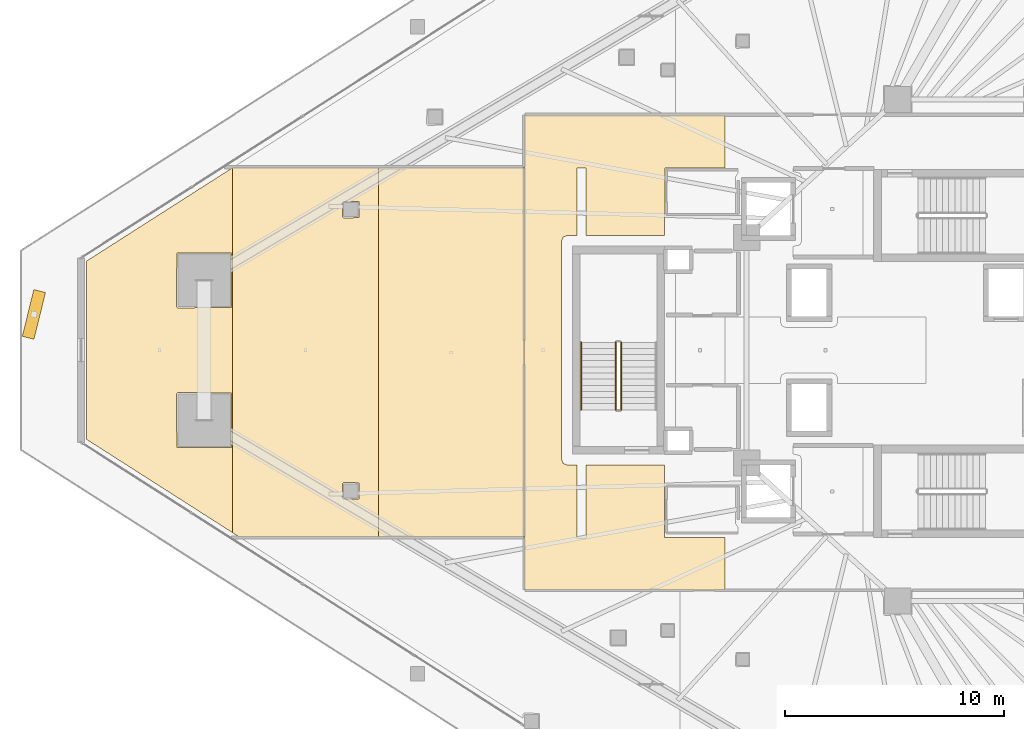
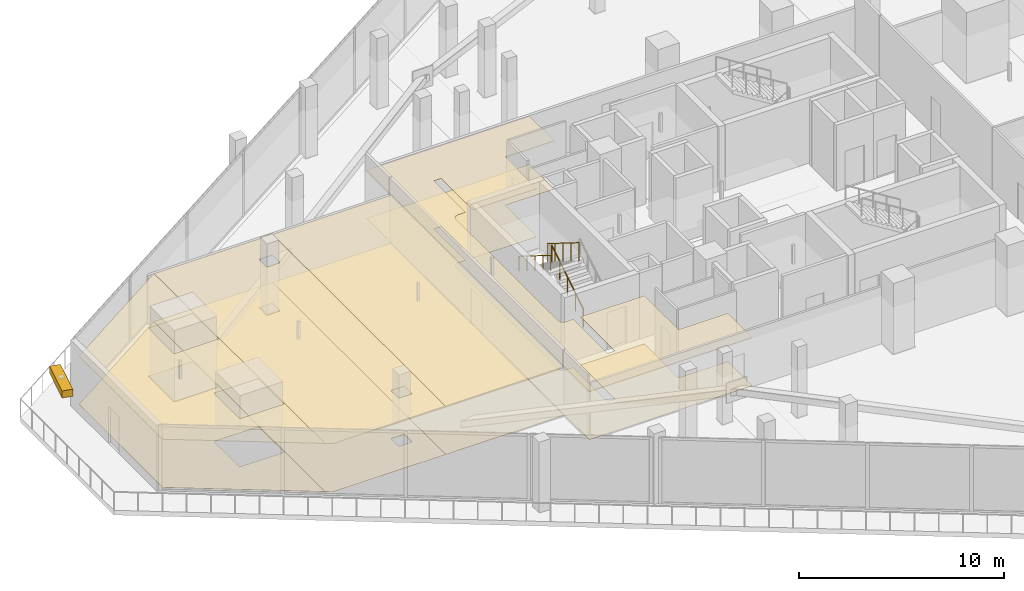
# One storey, part 39 of 43: 8 coverings, 3 railings, 1 shading device.
"""IFC4 building model written with IfcOpenShell, lengths in metres."""

from ifc_helpers import new_model, si_unit, direction, frame, origin, origin_2d, place, context, subcontext, project, spatial, polyline, rectangle, circle, outline, extrude, material, layer, layer_set, type_object, element, save


model = new_model("IFC4")

# Units and contexts
model_context = context("Model", 3, precision=1e-05, world=origin(), true_north=direction((0.0, 1.0)))
body_context = subcontext(model_context, "Body", "Model", "MODEL_VIEW")
ifc_project = project(units=[si_unit("LENGTHUNIT", "METRE"), si_unit("AREAUNIT", "SQUARE_METRE"), si_unit("VOLUMEUNIT", "CUBIC_METRE"), si_unit("PLANEANGLEUNIT", "RADIAN"), si_unit("MASSUNIT", "GRAM", prefix="KILO")], contexts=[model_context])

# Site, building, storey
site_placement = place(None, origin())
site = spatial("IfcSite", under=ifc_project, at=site_placement, CompositionType="ELEMENT")
building_placement = place(site_placement, origin())
building = spatial("IfcBuilding", under=site, at=building_placement, Name="Qorvath Tower", CompositionType="ELEMENT")
storey_placement = place(building_placement, frame((0.0, 0.0, 36.60009765625)))
storey = spatial("IfcBuildingStorey", under=building, at=storey_placement, Name="L07", CompositionType="ELEMENT", Elevation=36.60009765625)

# Coverings
ifc_material_1 = material(Name="Acoustic mineral fibre ceiling tile", Category="gypsum")
ifc_layer_1 = layer(ifc_material_1, 0.030029296875)
ifc_layer_set_1 = layer_set([ifc_layer_1], Name="COV-CEIL")
covering_type_1 = type_object("IfcCoveringType", Name="COV-CEIL", PredefinedType="CEILING", material=ifc_layer_set_1)
covering_1_placement = place(storey_placement, frame((0.0, 0.0, 2.849853515625)))
element("IfcCovering", 1, at=covering_1_placement, inside=storey, type_object=covering_type_1, Name="L07 Suspended Acoustic Ceiling 007", PredefinedType="CEILING", context=body_context, shape_type="SweptSolid", body=[
    extrude(outline(polyline([(-31.481689453125, -10.945068359375), (-31.481689453125, -8.564697265625), (-34.25, -8.56494140625), (-34.2548828125, -5.239990234375), (-37.844970703125, -5.239990234375), (-37.844970703125, -8.580078125), (-38.2548828125, -8.580078125), (-38.2548828125, -5.239990234375), (-38.699951171875, -5.239990234375), (-38.876708984375, -5.166748046875), (-38.949951171875, -4.989990234375), (-38.949951171875, 4.989990234375), (-38.876708984375, 5.166748046875), (-38.699951171875, 5.239990234375), (-38.2548828125, 5.239990234375), (-38.25341796875, 8.323486328125), (-37.844970703125, 8.320068359375), (-37.844970703125, 5.239990234375), (-34.2509765625, 5.239990234375), (-34.219970703125, 8.324951171875), (-31.481689453125, 8.324951171875), (-31.481689453125, 10.7451171875), (-40.64501953125, 10.7451171875), (-40.64501953125, -10.945068359375), (-31.481689453125, -10.945068359375)])), origin(), (0.0, 0.0, 1.0), 0.030029296875),
])
covering_2_placement = place(storey_placement, frame((0.0, 0.0, 2.849853515625)))
element("IfcCovering", 2, at=covering_2_placement, inside=storey, type_object=covering_type_1, Name="L07 Suspended Acoustic Ceiling 022", PredefinedType="CEILING", context=body_context, shape_type="SweptSolid", body=[
    extrude(outline(polyline([(-53.98583984375, -8.330322265625), (-53.98583984375, 8.330322265625), (-60.6474609375, 4.07275390625), (-60.6474609375, -4.07275390625), (-53.98583984375, -8.330322265625)]), holes=[polyline([(-56.54296875, -1.994384765625), (-56.48291015625, -1.9345703125), (-54.04052734375, -1.9521484375), (-54.04052734375, -4.43701171875), (-56.525390625, -4.43701171875), (-56.54296875, -1.994384765625)]), polyline([(-56.54296875, 1.994384765625), (-56.525390625, 4.43701171875), (-54.04052734375, 4.43701171875), (-54.04052734375, 1.9521484375), (-56.48291015625, 1.9345703125), (-56.54296875, 1.994384765625)])]), origin(), (0.0, 0.0, 1.0), 0.030029296875),
])
covering_3_placement = place(storey_placement, frame((0.0, 0.0, 2.849853515625)))
element("IfcCovering", 3, at=covering_3_placement, inside=storey, type_object=covering_type_1, Name="L07 Suspended Acoustic Ceiling 023", PredefinedType="CEILING", context=body_context, shape_type="SweptSolid", body=[
    extrude(outline(polyline([(-47.324462890625, -8.537109375), (-47.324462890625, 8.3369140625), (-53.975341796875, 8.3369140625), (-53.98583984375, 8.330322265625), (-53.98583984375, -8.330322265625), (-53.66259765625, -8.537109375), (-47.324462890625, -8.537109375)]), holes=[polyline([(-48.96337890625, -6.099609375), (-48.9033203125, -6.03955078125), (-48.2109375, -6.05712890625), (-48.2109375, -6.7919921875), (-48.94580078125, -6.7919921875), (-48.96337890625, -6.099609375)]), polyline([(-48.96337890625, 6.099609375), (-48.94580078125, 6.7919921875), (-48.2109375, 6.7919921875), (-48.2109375, 6.05712890625), (-48.9033203125, 6.03955078125), (-48.96337890625, 6.099609375)])]), origin(), (0.0, 0.0, 1.0), 0.030029296875),
])
covering_4_placement = place(storey_placement, frame((0.0, 0.0, 2.849853515625)))
element("IfcCovering", 4, at=covering_4_placement, inside=storey, type_object=covering_type_1, Name="L07 Suspended Acoustic Ceiling 024", PredefinedType="CEILING", context=body_context, shape_type="SweptSolid", body=[
    extrude(outline(polyline([(-40.6630859375, 8.3369140625), (-47.324462890625, 8.3369140625), (-47.324462890625, -8.537109375), (-40.6630859375, -8.537109375), (-40.6630859375, 8.3369140625)])), origin(), (0.0, 0.0, 1.0), 0.030029296875),
])
ifc_material_2 = material(Name="Low-VOC modular carpet tile", Category="textile")
ifc_layer_2 = layer(ifc_material_2, 0.014892578125)
ifc_layer_set_2 = layer_set([ifc_layer_2], Name="COV-FLOOR-CPT")
covering_type_2 = type_object("IfcCoveringType", Name="COV-FLOOR-CPT", PredefinedType="FLOORING", material=ifc_layer_set_2)
covering_5_placement = place(storey_placement, origin())
element("IfcCovering", 5, at=covering_5_placement, inside=storey, type_object=covering_type_2, Name="L07 Floor Finish 022", PredefinedType="FLOORING", context=body_context, shape_type="SweptSolid", body=[
    extrude(outline(polyline([(-53.98583984375, -8.330322265625), (-53.98583984375, 8.330322265625), (-60.6474609375, 4.07275390625), (-60.6474609375, -4.07275390625), (-53.98583984375, -8.330322265625)]), holes=[polyline([(-56.54296875, -1.994384765625), (-56.48291015625, -1.9345703125), (-54.04052734375, -1.9521484375), (-54.04052734375, -4.43701171875), (-56.525390625, -4.43701171875), (-56.54296875, -1.994384765625)]), polyline([(-56.54296875, 1.994384765625), (-56.525390625, 4.43701171875), (-54.04052734375, 4.43701171875), (-54.04052734375, 1.9521484375), (-56.48291015625, 1.9345703125), (-56.54296875, 1.994384765625)])]), origin(), (0.0, 0.0, 1.0), 0.014892578125),
])
covering_6_placement = place(storey_placement, origin())
element("IfcCovering", 6, at=covering_6_placement, inside=storey, type_object=covering_type_2, Name="L07 Floor Finish 023", PredefinedType="FLOORING", context=body_context, shape_type="SweptSolid", body=[
    extrude(outline(polyline([(-47.324462890625, -8.537109375), (-47.324462890625, 8.3369140625), (-53.975341796875, 8.3369140625), (-53.98583984375, 8.330322265625), (-53.98583984375, -8.330322265625), (-53.66259765625, -8.537109375), (-47.324462890625, -8.537109375)]), holes=[polyline([(-48.96337890625, -6.099609375), (-48.9033203125, -6.03955078125), (-48.2109375, -6.05712890625), (-48.2109375, -6.7919921875), (-48.94580078125, -6.7919921875), (-48.96337890625, -6.099609375)]), polyline([(-48.96337890625, 6.099609375), (-48.94580078125, 6.7919921875), (-48.2109375, 6.7919921875), (-48.2109375, 6.05712890625), (-48.9033203125, 6.03955078125), (-48.96337890625, 6.099609375)])]), origin(), (0.0, 0.0, 1.0), 0.014892578125),
])
covering_7_placement = place(storey_placement, origin())
element("IfcCovering", 7, at=covering_7_placement, inside=storey, type_object=covering_type_2, Name="L07 Floor Finish 024", PredefinedType="FLOORING", context=body_context, shape_type="SweptSolid", body=[
    extrude(outline(polyline([(-40.6630859375, 8.3369140625), (-47.324462890625, 8.3369140625), (-47.324462890625, -8.537109375), (-40.6630859375, -8.537109375), (-40.6630859375, 8.3369140625)])), origin(), (0.0, 0.0, 1.0), 0.014892578125),
])
ifc_material_3 = material(Name="Polished epoxy terrazzo flooring", Category="concrete")
ifc_layer_3 = layer(ifc_material_3, 0.02001953125)
ifc_layer_set_3 = layer_set([ifc_layer_3], Name="COV-FLOOR-TRZ")
covering_type_3 = type_object("IfcCoveringType", Name="COV-FLOOR-TRZ", PredefinedType="FLOORING", material=ifc_layer_set_3)
covering_8_placement = place(storey_placement, origin())
element("IfcCovering", 8, at=covering_8_placement, inside=storey, type_object=covering_type_3, Name="L07 Floor Finish 007", PredefinedType="FLOORING", context=body_context, shape_type="SweptSolid", body=[
    extrude(outline(polyline([(-31.481689453125, -10.945068359375), (-31.481689453125, -8.564697265625), (-34.25, -8.56494140625), (-34.2548828125, -5.239990234375), (-37.844970703125, -5.239990234375), (-37.844970703125, -8.580078125), (-38.2548828125, -8.580078125), (-38.2548828125, -5.239990234375), (-38.699951171875, -5.239990234375), (-38.876708984375, -5.166748046875), (-38.949951171875, -4.989990234375), (-38.949951171875, 4.989990234375), (-38.876708984375, 5.166748046875), (-38.699951171875, 5.239990234375), (-38.2548828125, 5.239990234375), (-38.25341796875, 8.323486328125), (-37.844970703125, 8.320068359375), (-37.844970703125, 5.239990234375), (-34.2509765625, 5.239990234375), (-34.219970703125, 8.324951171875), (-31.481689453125, 8.324951171875), (-31.481689453125, 10.7451171875), (-40.64501953125, 10.7451171875), (-40.64501953125, -10.945068359375), (-31.481689453125, -10.945068359375)])), origin(), (0.0, 0.0, 1.0), 0.014892578125),
])

# Railings
ifc_material_4 = material(Name="Painted galvanised steel", Category="steel")
railing_type_1 = type_object("IfcRailingType", Name="RL-STR-GRD", PredefinedType="GUARDRAIL", material=ifc_material_4)
railing_1_placement = place(storey_placement, frame((-36.22998046875, -2.719970703125, 0.1748046875)))
element("IfcRailing", 9, at=railing_1_placement, inside=storey, type_object=railing_type_1, Name="L07 TS3 stair guard 1", PredefinedType="GUARDRAIL", context=body_context, shape_type="SweptSolid", body=[
    extrude(circle(Radius=0.02392578125, at=origin_2d()), frame((0.0, 0.0, 1.076171875), z_axis=(0.0, 0.847998304005, 0.529998940003), x_axis=(-1.0, 0.0, 0.0)), (0.0, 0.0, 1.0), 3.632080078125),
    extrude(circle(Radius=0.02099609375, at=origin_2d()), origin(), (0.0, 0.0, 1.0), 1.052001953125),
    extrude(circle(Radius=0.02099609375, at=origin_2d()), frame((0.0, 0.77001953125, 0.481201171875)), (0.0, 0.0, 1.0), 1.052001953125),
    extrude(circle(Radius=0.02099609375, at=origin_2d()), frame((0.0, 1.5400390625, 0.96240234375)), (0.0, 0.0, 1.0), 1.052001953125),
    extrude(circle(Radius=0.02099609375, at=origin_2d()), frame((0.0, 2.31005859375, 1.44384765625)), (0.0, 0.0, 1.0), 1.052001953125),
    extrude(circle(Radius=0.02099609375, at=origin_2d()), frame((0.0, 3.080078125, 1.925048828125)), (0.0, 0.0, 1.0), 1.052001953125),
])
railing_2_placement = place(storey_placement, frame((-36.47998046875, 0.360107421875, 2.27490234375)))
element("IfcRailing", 10, at=railing_2_placement, inside=storey, type_object=railing_type_1, Name="L07 TS3 stair guard 3", PredefinedType="GUARDRAIL", context=body_context, shape_type="SweptSolid", body=[
    extrude(circle(Radius=0.02392578125, at=origin_2d()), frame((0.0, 0.0, 1.076171875), z_axis=(0.0, -0.847998304005, 0.529998940003), x_axis=(1.0, 0.0, 0.0)), (0.0, 0.0, 1.0), 3.632080078125),
    extrude(circle(Radius=0.02099609375, at=origin_2d()), origin(), (0.0, 0.0, 1.0), 1.052001953125),
    extrude(circle(Radius=0.02099609375, at=origin_2d()), frame((0.0, -0.77001953125, 0.481201171875)), (0.0, 0.0, 1.0), 1.052001953125),
    extrude(circle(Radius=0.02099609375, at=origin_2d()), frame((0.0, -1.5400390625, 0.96240234375)), (0.0, 0.0, 1.0), 1.052001953125),
    extrude(circle(Radius=0.02099609375, at=origin_2d()), frame((0.0, -2.31005859375, 1.44384765625)), (0.0, 0.0, 1.0), 1.052001953125),
    extrude(circle(Radius=0.02099609375, at=origin_2d()), frame((0.0, -3.080078125, 1.925048828125)), (0.0, 0.0, 1.0), 1.052001953125),
])
ifc_material_5 = material(Name="Brushed stainless steel AISI 304", Category="steel")
railing_type_2 = type_object("IfcRailingType", Name="RL-STR-HND", PredefinedType="HANDRAIL", material=ifc_material_5)
railing_3_placement = place(storey_placement, frame((-38.06005859375, 0.360107421875, 2.27490234375)))
element("IfcRailing", 11, at=railing_3_placement, inside=storey, type_object=railing_type_2, Name="L07 TS3 stair handrail 2", PredefinedType="HANDRAIL", context=body_context, shape_type="SweptSolid", body=[
    extrude(circle(Radius=0.02392578125, at=origin_2d()), frame((0.0, 0.0, 0.8759765625), z_axis=(0.0, -0.847998304005, 0.529998940003), x_axis=(1.0, 0.0, 0.0)), (0.0, 0.0, 1.0), 3.632080078125),
    extrude(circle(Radius=0.02099609375, at=origin_2d()), origin(), (0.0, 0.0, 1.0), 0.851806640625),
    extrude(circle(Radius=0.02099609375, at=origin_2d()), frame((0.0, -0.77001953125, 0.481201171875)), (0.0, 0.0, 1.0), 0.851806640625),
    extrude(circle(Radius=0.02099609375, at=origin_2d()), frame((0.0, -1.5400390625, 0.96240234375)), (0.0, 0.0, 1.0), 0.851806640625),
    extrude(circle(Radius=0.02099609375, at=origin_2d()), frame((0.0, -2.31005859375, 1.44384765625)), (0.0, 0.0, 1.0), 0.851806640625),
    extrude(circle(Radius=0.02099609375, at=origin_2d()), frame((0.0, -3.080078125, 1.925048828125)), (0.0, 0.0, 1.0), 0.851806640625),
])

# Shading device
ifc_material_6 = material(Name="Anodised bronze-champagne aluminium", Category="aluminium")
shading_device_type = type_object("IfcShadingDeviceType", Name="SD-LOUVRE", PredefinedType="JALOUSIE", material=ifc_material_6)
shading_device_placement = place(storey_placement, frame((-63.054443359375, 1.636474609375, 3.5), z_axis=(0.0, 0.0, 1.0), x_axis=(-0.239548601529, -0.970884373911, 0.0)))
element("IfcShadingDevice", 12, at=shading_device_placement, inside=storey, type_object=shading_device_type, Name="Sinusoidal Wave Louvre Blade L07-01", PredefinedType="NOTDEFINED", context=body_context, shape_type="SweptSolid", body=[
    extrude(rectangle(XDim=2.199951171875, YDim=0.550048828125, at=origin_2d()), origin(), (0.0, 0.0, 1.0), 0.419921875),
])

save(model, "model.ifc")
